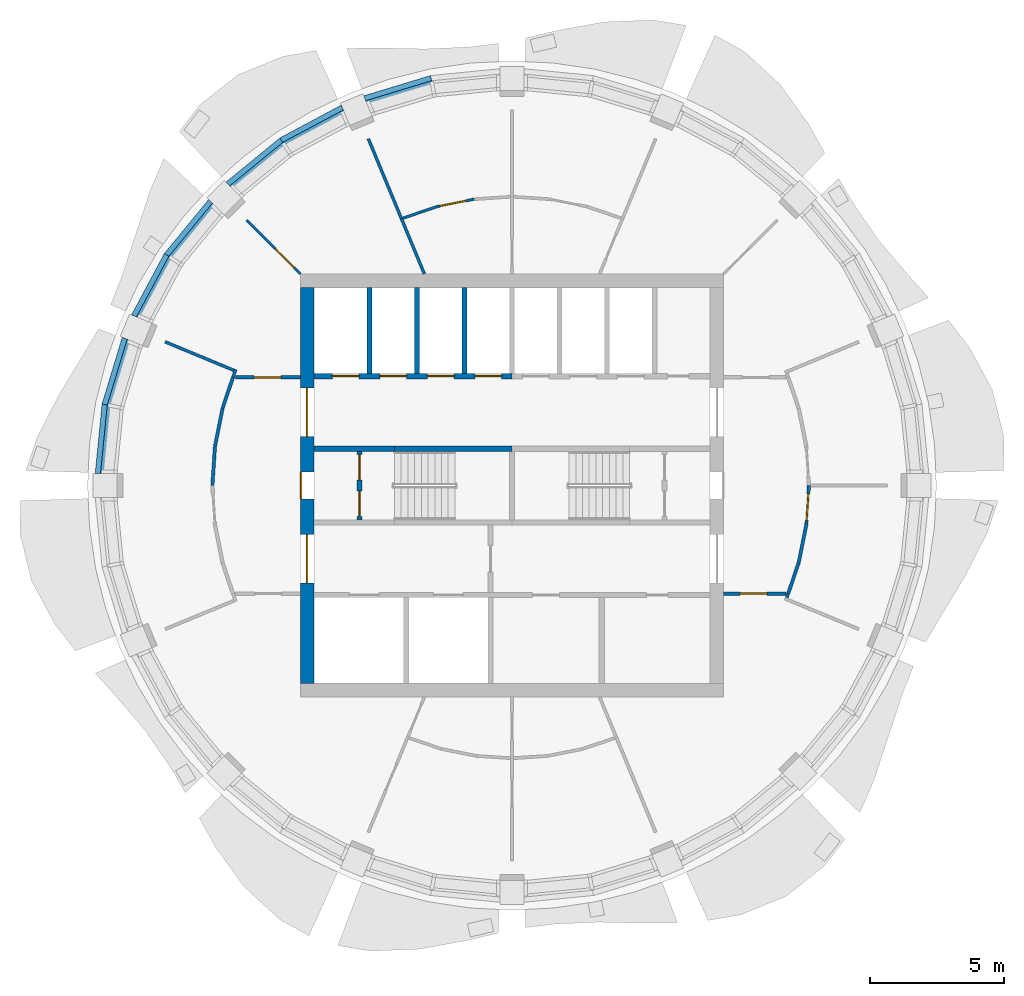
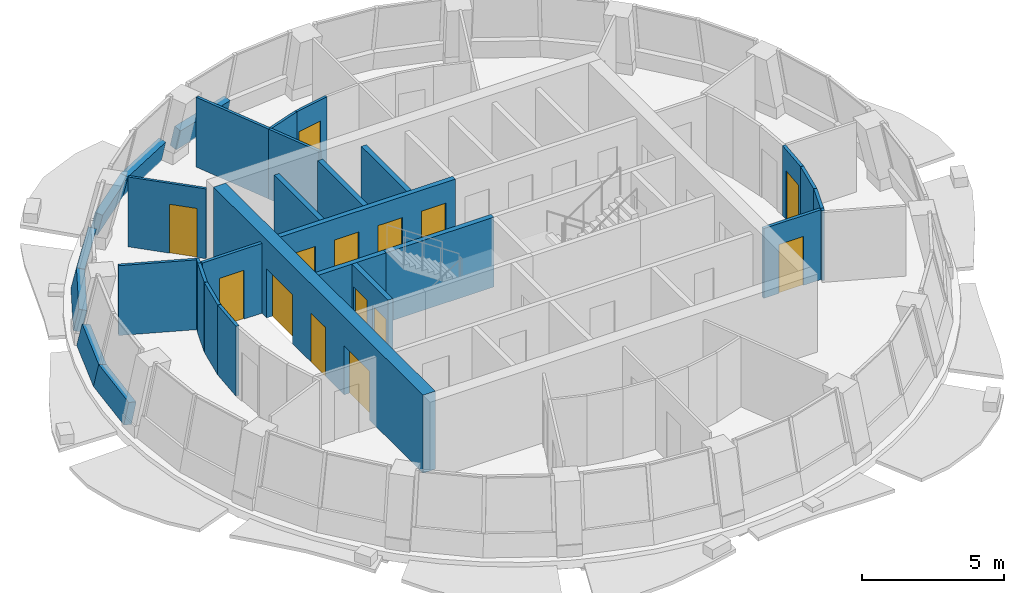
# One storey, part 5 of 11: 31 walls, 14 doors, 14 openings.
"""IFC4 building model written with IfcOpenShell, lengths in metres."""

from ifc_helpers import new_model, si_unit, direction, frame, frame_2d, origin, place, context, subcontext, project, spatial, polyline, rectangle, outline, extrude, material, layer, layer_set, type_object, element, fill, save


model = new_model("IFC4")

# Units and contexts
model_context = context("Model", 3, precision=1e-05, world=origin(), true_north=direction((0.0, 1.0)))
body_context = subcontext(model_context, "Body", "Model", "MODEL_VIEW")
ifc_project = project(units=[si_unit("LENGTHUNIT", "METRE"), si_unit("AREAUNIT", "SQUARE_METRE"), si_unit("VOLUMEUNIT", "CUBIC_METRE"), si_unit("PLANEANGLEUNIT", "RADIAN"), si_unit("MASSUNIT", "GRAM", prefix="KILO")], contexts=[model_context])

# Site, building, storey
site_placement = place(None, origin())
site = spatial("IfcSite", under=ifc_project, at=site_placement, CompositionType="ELEMENT")
building_placement = place(site_placement, origin())
building = spatial("IfcBuilding", under=site, at=building_placement, Name="Polderwave Tower", CompositionType="ELEMENT")
storey_placement = place(building_placement, frame((0.0, 0.0, 224.5)))
storey = spatial("IfcBuildingStorey", under=building, at=storey_placement, Name="L61", CompositionType="ELEMENT", Elevation=224.5)

# Wall, openings, doors
ifc_material_1 = material(Name="Concrete C60/75", Category="concrete")
ifc_layer_1 = layer(ifc_material_1, 0.5)
ifc_layer_set_1 = layer_set([ifc_layer_1], Name="CORE WALL 500 C60/75")
wall_type_1 = type_object("IfcWallType", Name="CORE WALL 500 C60/75", PredefinedType="SHEAR", material=ifc_layer_set_1)
wall_1_placement = place(storey_placement, frame((-7.6240234375, -7.3740234375, 0.0), z_axis=(0.0, 0.0, 1.0), x_axis=(0.0, 1.0, 0.0)))
wall_1 = element("IfcWall", 1, at=wall_1_placement, inside=storey, type_object=wall_type_1, Name="ST-CORE-L61-W", PredefinedType="SHEAR", context=body_context, shape_type="SweptSolid", body=[
    extrude(rectangle(XDim=14.748046875, YDim=0.5, at=frame_2d((7.3740234375, 0.0))), origin(), (0.0, 0.0, 1.0), 3.35009765625),
])
opening_1_placement = place(wall_1_placement, frame((6.8740234375, 0.0, 0.0)))
opening_1 = element("IfcOpeningElement", 2, at=opening_1_placement, cuts=wall_1, Name="Opening L61-D18", PredefinedType="OPENING", context=body_context, shape_type="SweptSolid", body=[
    extrude(rectangle(XDim=1.0, YDim=2.10009765625, at=frame_2d((0.5, 1.050048828125))), frame((0.0, 0.260009765625, 0.0), z_axis=(0.0, -1.0, 0.0), x_axis=(1.0, 0.0, 0.0)), (0.0, 0.0, 1.0), 0.52001953125),
])
opening_2_placement = place(wall_1_placement, frame((3.74951171875, 0.0, 0.0)))
opening_2 = element("IfcOpeningElement", 3, at=opening_2_placement, cuts=wall_1, Name="Opening L61-D19", PredefinedType="OPENING", context=body_context, shape_type="SweptSolid", body=[
    extrude(rectangle(XDim=1.800048828125, YDim=2.10009765625, at=frame_2d((0.89990234375, 1.050048828125))), frame((0.0, 0.260009765625, 0.0), z_axis=(0.0, -1.0, 0.0), x_axis=(1.0, 0.0, 0.0)), (0.0, 0.0, 1.0), 0.52001953125),
])
opening_3_placement = place(wall_1_placement, frame((9.198486328125, 0.0, 0.0)))
opening_3 = element("IfcOpeningElement", 4, at=opening_3_placement, cuts=wall_1, Name="Opening L61-D20", PredefinedType="OPENING", context=body_context, shape_type="SweptSolid", body=[
    extrude(rectangle(XDim=1.800048828125, YDim=2.10009765625, at=frame_2d((0.89990234375, 1.050048828125))), frame((0.0, 0.260009765625, 0.0), z_axis=(0.0, -1.0, 0.0), x_axis=(1.0, 0.0, 0.0)), (0.0, 0.0, 1.0), 0.52001953125),
])
ifc_material_2 = material(Name="Steel fire door", Category="steel")
door_type_1 = type_object("IfcDoorType", Name="Lobby entry door pair 1800", OperationType="DOUBLE_DOOR_SINGLE_SWING", PredefinedType="DOOR", material=ifc_material_2)
door_1_placement = place(opening_2_placement, origin())
door_1 = element("IfcDoor", 5, at=door_1_placement, inside=storey, type_object=door_type_1, Name="Fire-fighting lobby entry door", OperationType="DOUBLE_DOOR_SINGLE_SWING", OverallHeight=2.10009765625, OverallWidth=1.800048828125, PredefinedType="DOOR", context=body_context, shape_type="SweptSolid", body=[
    extrude(rectangle(XDim=1.800048828125, YDim=2.10009765625, at=frame_2d((0.89990234375, 1.050048828125))), frame((0.0, 0.02490234375, 0.0), z_axis=(0.0, -1.0, 0.0), x_axis=(1.0, 0.0, 0.0)), (0.0, 0.0, 1.0), 0.050048828125),
])
fill(opening_2, door_1)
door_2_placement = place(opening_3_placement, origin())
door_2 = element("IfcDoor", 6, at=door_2_placement, inside=storey, type_object=door_type_1, Name="North lobby entry door", OperationType="DOUBLE_DOOR_SINGLE_SWING", OverallHeight=2.10009765625, OverallWidth=1.800048828125, PredefinedType="DOOR", context=body_context, shape_type="SweptSolid", body=[
    extrude(rectangle(XDim=1.800048828125, YDim=2.10009765625, at=frame_2d((0.89990234375, 1.050048828125))), frame((0.0, 0.02490234375, 0.0), z_axis=(0.0, -1.0, 0.0), x_axis=(1.0, 0.0, 0.0)), (0.0, 0.0, 1.0), 0.050048828125),
])
fill(opening_3, door_2)
door_type_2 = type_object("IfcDoorType", Name="Stair door 1000", OperationType="NOTDEFINED", PredefinedType="DOOR", material=ifc_material_2)
door_3_placement = place(opening_1_placement, origin())
door_3 = element("IfcDoor", 7, at=door_3_placement, inside=storey, type_object=door_type_2, Name="Stair A entry door", OperationType="SINGLE_SWING_RIGHT", OverallHeight=2.10009765625, OverallWidth=1.0, PredefinedType="DOOR", context=body_context, shape_type="SweptSolid", body=[
    extrude(rectangle(XDim=1.0, YDim=2.10009765625, at=frame_2d((0.5, 1.050048828125))), frame((0.0, 0.25, 0.0), z_axis=(0.0, -1.0, 0.0), x_axis=(1.0, 0.0, 0.0)), (0.0, 0.0, 1.0), 0.050048828125),
])
fill(opening_1, door_3)

# Walls
ifc_material_3 = material(Name="Concrete C50/60 (board-marked)", Category="concrete")
ifc_layer_2 = layer(ifc_material_3, 0.300048828125)
ifc_layer_set_2 = layer_set([ifc_layer_2], Name="Concrete spandrel upstand C50/60")
wall_type_2 = type_object("IfcWallType", Name="Concrete spandrel upstand C50/60", PredefinedType="SOLIDWALL", material=ifc_layer_set_2)
wall_2_placement = place(storey_placement, frame((-3.034423828125, 15.257080078125, 0.0), z_axis=(-0.283799928831, 0.935039256379, 0.212506916186), x_axis=(-0.95689523991, -0.290433296708, -1.257384e-06)))
element("IfcWall", 8, at=wall_2_placement, inside=storey, type_object=wall_type_2, Name="Spandrel L61 5b", PredefinedType="SOLIDWALL", context=body_context, shape_type="SweptSolid", body=[
    extrude(outline(polyline([(0.0, 0.0), (2.595007097670562, 2.7755575615628914e-17), (2.5755727980861547, 0.9209402607057845), (0.019337186771753657, 0.9209336322190266), (0.0, 0.0)])), origin(), (0.0, 0.0, -1.0), 0.300048828125),
])
wall_3_placement = place(storey_placement, frame((-6.35400390625, 14.1572265625, 0.0), z_axis=(-0.460586384793, 0.861752726177, 0.212702658821), x_axis=(-0.881934366314, -0.471372223942, -3.114104e-06)))
element("IfcWall", 9, at=wall_3_placement, inside=storey, type_object=wall_type_2, Name="Spandrel L61 6a", PredefinedType="SOLIDWALL", context=body_context, shape_type="SweptSolid", body=[
    extrude(outline(polyline([(0.0, 0.0), (2.594928611274423, -2.7755575615628914e-17), (2.5753532648335606, 0.920985295043385), (0.01941529380473597, 0.9209688790606901), (0.0, 0.0)])), origin(), (0.0, 0.0, -1.0), 0.300048828125),
])
wall_4_placement = place(storey_placement, frame((-8.642578125, 12.93408203125, 0.0), z_axis=(-0.619832994913, 0.755344730477, 0.212747259813), x_axis=(-0.77304293478, -0.634353703321, -8.415613e-06)))
element("IfcWall", 10, at=wall_4_placement, inside=storey, type_object=wall_type_2, Name="Spandrel L61 6b", PredefinedType="SOLIDWALL", context=body_context, shape_type="SweptSolid", body=[
    extrude(outline(polyline([(0.0, 0.0), (2.5937283276421317, 0.0), (2.574575610802007, 0.9210084137902412), (0.01920476721061935, 0.9209640657165162), (0.0, 0.0)])), origin(), (0.0, 0.0, -1.0), 0.300048828125),
])
wall_5_placement = place(storey_placement, frame((-11.288818359375, 10.647705078125, 0.0), z_axis=(-0.755409788391, 0.61984836301, 0.212471312127), x_axis=(-0.634331506046, -0.77306114922, 2.160758e-06)))
element("IfcWall", 11, at=wall_5_placement, inside=storey, type_object=wall_type_2, Name="Spandrel L61 7a", PredefinedType="SOLIDWALL", context=body_context, shape_type="SweptSolid", body=[
    extrude(outline(polyline([(0.0, 0.0), (2.593728329537269, 5.551115123125783e-17), (2.5746784227651998, 0.9209239565177328), (0.019118847660090966, 0.9209353428660346), (0.0, 0.0)])), origin(), (0.0, 0.0, -1.0), 0.300048828125),
])
wall_6_placement = place(storey_placement, frame((-12.93408203125, 8.642578125, 0.0), z_axis=(-0.861774466564, 0.460573251826, 0.212643007131), x_axis=(-0.471353411649, -0.881944420769, -1.528775e-06)))
element("IfcWall", 12, at=wall_6_placement, inside=storey, type_object=wall_type_2, Name="Spandrel L61 7b", PredefinedType="SOLIDWALL", context=body_context, shape_type="SweptSolid", body=[
    extrude(outline(polyline([(0.0, 0.0), (2.59492861148547, 0.0), (2.575513317260219, 0.9209688796464724), (0.0193600292076719, 0.9209608204871957), (0.0, 0.0)])), origin(), (0.0, 0.0, -1.0), 0.300048828125),
])
wall_7_placement = place(storey_placement, frame((-14.50341796875, 5.517578125, 0.0), z_axis=(-0.935089635807, 0.283815219823, 0.212264679123), x_axis=(-0.290433297305, -0.956895239729, 1.256018e-06)))
element("IfcWall", 13, at=wall_7_placement, inside=storey, type_object=wall_type_2, Name="Spandrel L61 8a", PredefinedType="SOLIDWALL", context=body_context, shape_type="SweptSolid", body=[
    extrude(outline(polyline([(0.0, 0.0), (2.5950070976705564, 0.0), (2.575740816114674, 0.9208840189759286), (0.0195052048002585, 0.9208906399068612), (0.0, 0.0)])), origin(), (0.0, 0.0, -1.0), 0.300048828125),
])
wall_8_placement = place(storey_placement, frame((-15.257080078125, 3.034423828125, 0.0), z_axis=(-0.972456505396, 0.095619562057, 0.212568211321), x_axis=(-0.097857123826, -0.995200473918, -5.472073e-06)))
element("IfcWall", 14, at=wall_8_placement, inside=storey, type_object=wall_type_2, Name="Spandrel L61 8b", PredefinedType="SOLIDWALL", context=body_context, shape_type="SweptSolid", body=[
    extrude(outline(polyline([(0.0, 0.0), (2.5939993212860575, 0.0), (2.574738332060873, 0.920963930420198), (0.019267377080073818, 0.920935093099123), (0.0, 0.0)])), origin(), (0.0, 0.0, -1.0), 0.300048828125),
])

# Wall, openings, doors
ifc_material_4 = material(Name="Gypsum board partition")
ifc_layer_3 = layer(ifc_material_4, 0.199951171875)
ifc_layer_set_3 = layer_set([ifc_layer_3], Name="Core room partition 200")
wall_type_3 = type_object("IfcWallType", Name="Core room partition 200", PredefinedType="PARTITIONING", material=ifc_layer_set_3)
wall_9_placement = place(storey_placement, frame((-5.674072265625, -1.27490234375, 0.0), z_axis=(0.0, 0.0, 1.0), x_axis=(0.0, 1.0, 0.0)))
wall_9 = element("IfcWall", 15, at=wall_9_placement, inside=storey, type_object=wall_type_3, Name="L61 smoke lobby wall A", PredefinedType="PARTITIONING", context=body_context, shape_type="SweptSolid", body=[
    extrude(rectangle(XDim=2.5498046875, YDim=0.199951171875, at=frame_2d((1.27490234375, 0.0))), origin(), (0.0, 0.0, 1.0), 3.0),
])
opening_4_placement = place(wall_9_placement, frame((0.125, 0.0, 0.0)))
opening_4 = element("IfcOpeningElement", 16, at=opening_4_placement, cuts=wall_9, Name="Opening L61-D10", PredefinedType="OPENING", context=body_context, shape_type="SweptSolid", body=[
    extrude(rectangle(XDim=0.949951171875, YDim=2.10009765625, at=frame_2d((0.47509765625, 1.050048828125))), frame((0.0, 0.10986328125, 0.0), z_axis=(0.0, -1.0, 0.0), x_axis=(1.0, 0.0, 0.0)), (0.0, 0.0, 1.0), 0.219970703125),
])
opening_5_placement = place(wall_9_placement, frame((1.47509765625, 0.0, 0.0)))
opening_5 = element("IfcOpeningElement", 17, at=opening_5_placement, cuts=wall_9, Name="Opening L61-D11", PredefinedType="OPENING", context=body_context, shape_type="SweptSolid", body=[
    extrude(rectangle(XDim=0.949951171875, YDim=2.10009765625, at=frame_2d((0.47509765625, 1.050048828125))), frame((0.0, 0.10986328125, 0.0), z_axis=(0.0, -1.0, 0.0), x_axis=(1.0, 0.0, 0.0)), (0.0, 0.0, 1.0), 0.219970703125),
])
door_type_3 = type_object("IfcDoorType", Name="Smoke lobby door 950", OperationType="NOTDEFINED", PredefinedType="DOOR", material=ifc_material_2)
door_4_placement = place(opening_4_placement, origin())
door_4 = element("IfcDoor", 18, at=door_4_placement, inside=storey, type_object=door_type_3, Name="Stair A smoke lobby inner door", OperationType="SINGLE_SWING_LEFT", OverallHeight=2.10009765625, OverallWidth=0.949951171875, PredefinedType="DOOR", context=body_context, shape_type="SweptSolid", body=[
    extrude(rectangle(XDim=0.949951171875, YDim=2.10009765625, at=frame_2d((0.47509765625, 1.050048828125))), frame((0.0, 0.02490234375, 0.0), z_axis=(0.0, -1.0, 0.0), x_axis=(1.0, 0.0, 0.0)), (0.0, 0.0, 1.0), 0.050048828125),
])
fill(opening_4, door_4)
door_5_placement = place(opening_5_placement, origin())
door_5 = element("IfcDoor", 19, at=door_5_placement, inside=storey, type_object=door_type_3, Name="Stair A smoke lobby inner door", OperationType="SINGLE_SWING_RIGHT", OverallHeight=2.10009765625, OverallWidth=0.949951171875, PredefinedType="DOOR", context=body_context, shape_type="SweptSolid", body=[
    extrude(rectangle(XDim=0.949951171875, YDim=2.10009765625, at=frame_2d((0.47509765625, 1.050048828125))), frame((0.0, 0.02490234375, 0.0), z_axis=(0.0, -1.0, 0.0), x_axis=(1.0, 0.0, 0.0)), (0.0, 0.0, 1.0), 0.050048828125),
])
fill(opening_5, door_5)

ifc_material_5 = material(Name="Concrete C50/60", Category="concrete")
ifc_layer_4 = layer(ifc_material_5, 0.199951171875)
ifc_layer_set_4 = layer_set([ifc_layer_4], Name="Core web wall 200")
wall_type_4 = type_object("IfcWallType", Name="Core web wall 200", PredefinedType="SHEAR", material=ifc_layer_set_4)
wall_10_placement = place(storey_placement, frame((-7.3740234375, 4.073974609375, 0.0), z_axis=(0.0, 0.0, 1.0), x_axis=(1.0, 0.0, 0.0)))
wall_10 = element("IfcWall", 20, at=wall_10_placement, inside=storey, type_object=wall_type_4, Name="L61 north front wall 1", PredefinedType="SHEAR", context=body_context, shape_type="SweptSolid", body=[
    extrude(rectangle(XDim=7.3740234375, YDim=0.199951171875, at=frame_2d((3.68701171875, 0.0))), origin(), (0.0, 0.0, 1.0), 3.0),
])
opening_6_placement = place(wall_10_placement, frame((0.68408203125, 0.0, 0.0)))
opening_6 = element("IfcOpeningElement", 21, at=opening_6_placement, cuts=wall_10, Name="Opening L61-D03", PredefinedType="OPENING", context=body_context, shape_type="SweptSolid", body=[
    extrude(rectangle(XDim=1.0, YDim=2.10009765625, at=frame_2d((0.5, 1.050048828125))), frame((0.0, 0.10986328125, 0.0), z_axis=(0.0, -1.0, 0.0), x_axis=(1.0, 0.0, 0.0)), (0.0, 0.0, 1.0), 0.219970703125),
])
opening_7_placement = place(wall_10_placement, frame((2.45263671875, 0.0, 0.0)))
opening_7 = element("IfcOpeningElement", 22, at=opening_7_placement, cuts=wall_10, Name="Opening L61-D04", PredefinedType="OPENING", context=body_context, shape_type="SweptSolid", body=[
    extrude(rectangle(XDim=1.0, YDim=2.10009765625, at=frame_2d((0.5, 1.050048828125))), frame((0.0, 0.10986328125, 0.0), z_axis=(0.0, -1.0, 0.0), x_axis=(1.0, 0.0, 0.0)), (0.0, 0.0, 1.0), 0.219970703125),
])
opening_8_placement = place(wall_10_placement, frame((4.22119140625, 0.0, 0.0)))
opening_8 = element("IfcOpeningElement", 23, at=opening_8_placement, cuts=wall_10, Name="Opening L61-D05", PredefinedType="OPENING", context=body_context, shape_type="SweptSolid", body=[
    extrude(rectangle(XDim=1.0, YDim=2.10009765625, at=frame_2d((0.5, 1.050048828125))), frame((0.0, 0.10986328125, 0.0), z_axis=(0.0, -1.0, 0.0), x_axis=(1.0, 0.0, 0.0)), (0.0, 0.0, 1.0), 0.219970703125),
])
opening_9_placement = place(wall_10_placement, frame((5.98974609375, 0.0, 0.0)))
opening_9 = element("IfcOpeningElement", 24, at=opening_9_placement, cuts=wall_10, Name="Opening L61-D06", PredefinedType="OPENING", context=body_context, shape_type="SweptSolid", body=[
    extrude(rectangle(XDim=1.0, YDim=2.10009765625, at=frame_2d((0.5, 1.050048828125))), frame((0.0, 0.10986328125, 0.0), z_axis=(0.0, -1.0, 0.0), x_axis=(1.0, 0.0, 0.0)), (0.0, 0.0, 1.0), 0.219970703125),
])
ifc_material_6 = material(Name="Stainless steel", Category="steel")
door_type_4 = type_object("IfcDoorType", Name="Lift landing door 1000", OperationType="DOUBLE_DOOR_SLIDING", PredefinedType="DOOR", material=ifc_material_6)
door_6_placement = place(opening_6_placement, frame((1.0, 0.0, 0.0), z_axis=(0.0, 0.0, 1.0), x_axis=(-1.0, 0.0, 0.0)))
door_6 = element("IfcDoor", 25, at=door_6_placement, inside=storey, type_object=door_type_4, Name="Lift HL1 landing door", OperationType="DOUBLE_DOOR_SLIDING", OverallHeight=2.10009765625, OverallWidth=1.0, PredefinedType="DOOR", context=body_context, shape_type="SweptSolid", body=[
    extrude(rectangle(XDim=1.0, YDim=2.10009765625, at=frame_2d((0.5, 1.050048828125))), frame((0.0, 0.02490234375, 0.0), z_axis=(0.0, -1.0, 0.0), x_axis=(1.0, 0.0, 0.0)), (0.0, 0.0, 1.0), 0.050048828125),
])
fill(opening_6, door_6)
door_7_placement = place(opening_7_placement, frame((1.0, 0.0, 0.0), z_axis=(0.0, 0.0, 1.0), x_axis=(-1.0, 0.0, 0.0)))
door_7 = element("IfcDoor", 26, at=door_7_placement, inside=storey, type_object=door_type_4, Name="Lift HL2 landing door", OperationType="DOUBLE_DOOR_SLIDING", OverallHeight=2.10009765625, OverallWidth=1.0, PredefinedType="DOOR", context=body_context, shape_type="SweptSolid", body=[
    extrude(rectangle(XDim=1.0, YDim=2.10009765625, at=frame_2d((0.5, 1.050048828125))), frame((0.0, 0.02490234375, 0.0), z_axis=(0.0, -1.0, 0.0), x_axis=(1.0, 0.0, 0.0)), (0.0, 0.0, 1.0), 0.050048828125),
])
fill(opening_7, door_7)
door_8_placement = place(opening_8_placement, frame((1.0, 0.0, 0.0), z_axis=(0.0, 0.0, 1.0), x_axis=(-1.0, 0.0, 0.0)))
door_8 = element("IfcDoor", 27, at=door_8_placement, inside=storey, type_object=door_type_4, Name="Lift HL3 landing door", OperationType="DOUBLE_DOOR_SLIDING", OverallHeight=2.10009765625, OverallWidth=1.0, PredefinedType="DOOR", context=body_context, shape_type="SweptSolid", body=[
    extrude(rectangle(XDim=1.0, YDim=2.10009765625, at=frame_2d((0.5, 1.050048828125))), frame((0.0, 0.02490234375, 0.0), z_axis=(0.0, -1.0, 0.0), x_axis=(1.0, 0.0, 0.0)), (0.0, 0.0, 1.0), 0.050048828125),
])
fill(opening_8, door_8)
door_9_placement = place(opening_9_placement, frame((1.0, 0.0, 0.0), z_axis=(0.0, 0.0, 1.0), x_axis=(-1.0, 0.0, 0.0)))
door_9 = element("IfcDoor", 28, at=door_9_placement, inside=storey, type_object=door_type_4, Name="Lift HL4 landing door", OperationType="DOUBLE_DOOR_SLIDING", OverallHeight=2.10009765625, OverallWidth=1.0, PredefinedType="DOOR", context=body_context, shape_type="SweptSolid", body=[
    extrude(rectangle(XDim=1.0, YDim=2.10009765625, at=frame_2d((0.5, 1.050048828125))), frame((0.0, 0.02490234375, 0.0), z_axis=(0.0, -1.0, 0.0), x_axis=(1.0, 0.0, 0.0)), (0.0, 0.0, 1.0), 0.050048828125),
])
fill(opening_9, door_9)

# Walls
wall_11_placement = place(storey_placement, frame((-7.3740234375, 1.375, 0.0), z_axis=(0.0, 0.0, 1.0), x_axis=(1.0, 0.0, 0.0)))
element("IfcWall", 29, at=wall_11_placement, inside=storey, type_object=wall_type_4, Name="L61 north stair wall 1", PredefinedType="SHEAR", context=body_context, shape_type="SweptSolid", body=[
    extrude(rectangle(XDim=3.0, YDim=0.199951171875, at=frame_2d((1.5, 0.0))), origin(), (0.0, 0.0, 1.0), 3.0),
])
wall_12_placement = place(storey_placement, frame((-4.3740234375, 1.375, 0.0), z_axis=(0.0, 0.0, 1.0), x_axis=(1.0, 0.0, 0.0)))
element("IfcWall", 30, at=wall_12_placement, inside=storey, type_object=wall_type_4, Name="L61 north stair wall 2", PredefinedType="SHEAR", context=body_context, shape_type="SweptSolid", body=[
    extrude(rectangle(XDim=4.3740234375, YDim=0.199951171875, at=frame_2d((2.18701171875, 0.0))), origin(), (0.0, 0.0, 1.0), 3.0),
])

# Wall, opening, door
ifc_material_7 = material(Name="Fire-resisting board on steel studs", Category="steel")
ifc_layer_5 = layer(ifc_material_7, 0.125)
ifc_layer_set_5 = layer_set([ifc_layer_5], Name="Corridor wall 125 mm EI 60")
wall_type_5 = type_object("IfcWallType", Name="Corridor wall 125 mm EI 60", PredefinedType="PARTITIONING", material=ifc_layer_set_5)
wall_13_placement = place(storey_placement, frame((10.19091796875, -4.0244140625, 0.0), z_axis=(0.0, 0.0, 1.0), x_axis=(-1.0, 0.0, 0.0)))
wall_13 = element("IfcWall", 31, at=wall_13_placement, inside=storey, type_object=wall_type_5, Name="IN-L61-W005", PredefinedType="PARTITIONING", context=body_context, shape_type="SweptSolid", body=[
    extrude(rectangle(XDim=2.31689453125, YDim=0.125, at=frame_2d((1.158447265625, 0.0))), origin(), (0.0, 0.0, 1.0), 3.0),
])
opening_10_placement = place(wall_13_placement, frame((0.699951171875, 0.0, 0.0)))
opening_10 = element("IfcOpeningElement", 32, at=opening_10_placement, cuts=wall_13, Name="Opening L61-D52", PredefinedType="OPENING", context=body_context, shape_type="SweptSolid", body=[
    extrude(rectangle(XDim=1.0, YDim=2.10009765625, at=frame_2d((0.5, 1.050048828125))), frame((0.0, 0.072509765625, 0.0), z_axis=(0.0, -1.0, 0.0), x_axis=(1.0, 0.0, 0.0)), (0.0, 0.0, 1.0), 0.14501953125),
])
ifc_material_8 = material(Name="Timber fire door leaf", Category="wood")
door_type_5 = type_object("IfcDoorType", Name="Fire door FD30S 1000 x 2100", OperationType="NOTDEFINED", PredefinedType="DOOR", material=ifc_material_8)
door_10_placement = place(opening_10_placement, origin())
door_10 = element("IfcDoor", 33, at=door_10_placement, inside=storey, type_object=door_type_5, Name="Door L61-D52", OperationType="SINGLE_SWING_RIGHT", OverallHeight=2.10009765625, OverallWidth=1.0, PredefinedType="DOOR", context=body_context, shape_type="SweptSolid", body=[
    extrude(rectangle(XDim=1.0, YDim=2.10009765625, at=frame_2d((0.5, 1.050048828125))), frame((0.0, 0.02490234375, 0.0), z_axis=(0.0, -1.0, 0.0), x_axis=(1.0, 0.0, 0.0)), (0.0, 0.0, 1.0), 0.050048828125),
])
fill(opening_10, door_10)

# Walls
wall_14_placement = place(storey_placement, frame((10.672119140625, -2.864013671875, 0.0), z_axis=(0.0, 0.0, 1.0), x_axis=(-0.321363343769, -0.946955965862, 0.0)))
element("IfcWall", 34, at=wall_14_placement, inside=storey, type_object=wall_type_5, Name="IN-L61-W006", PredefinedType="PARTITIONING", context=body_context, shape_type="SweptSolid", body=[
    extrude(rectangle(XDim=1.225341796875, YDim=0.125, at=frame_2d((0.61279296875, 0.0))), origin(), (0.0, 0.0, 1.0), 3.0),
])
wall_15_placement = place(storey_placement, frame((10.95458984375, -1.4462890625, 0.0), z_axis=(0.0, 0.0, 1.0), x_axis=(-0.195005351681, -0.980802178228, 0.0)))
element("IfcWall", 35, at=wall_15_placement, inside=storey, type_object=wall_type_5, Name="IN-L61-W007", PredefinedType="PARTITIONING", context=body_context, shape_type="SweptSolid", body=[
    extrude(rectangle(XDim=1.437255859375, YDim=0.125, at=frame_2d((0.71875, 0.0))), origin(), (0.0, 0.0, 1.0), 3.0),
])

# Wall, opening, door
wall_16_placement = place(storey_placement, frame((11.050048828125, 0.0, 0.0), z_axis=(0.0, 0.0, 1.0), x_axis=(-0.065383473363, -0.997860211358, 0.0)))
wall_16 = element("IfcWall", 36, at=wall_16_placement, inside=storey, type_object=wall_type_5, Name="IN-L61-W008", PredefinedType="PARTITIONING", context=body_context, shape_type="SweptSolid", body=[
    extrude(rectangle(XDim=1.44140625, YDim=0.125, at=frame_2d((0.720703125, 0.0))), origin(), (0.0, 0.0, 1.0), 3.0),
])
opening_11_placement = place(wall_16_placement, frame((0.300048828125, 0.0, 0.0)))
opening_11 = element("IfcOpeningElement", 37, at=opening_11_placement, cuts=wall_16, Name="Opening L61-D53", PredefinedType="OPENING", context=body_context, shape_type="SweptSolid", body=[
    extrude(rectangle(XDim=1.0, YDim=2.10009765625, at=frame_2d((0.5, 1.050048828125))), frame((0.0, 0.072509765625, 0.0), z_axis=(0.0, -1.0, 0.0), x_axis=(1.0, 0.0, 0.0)), (0.0, 0.0, 1.0), 0.14501953125),
])
door_11_placement = place(opening_11_placement, origin())
door_11 = element("IfcDoor", 38, at=door_11_placement, inside=storey, type_object=door_type_5, Name="Door L61-D53", OperationType="SINGLE_SWING_RIGHT", OverallHeight=2.10009765625, OverallWidth=1.0, PredefinedType="DOOR", context=body_context, shape_type="SweptSolid", body=[
    extrude(rectangle(XDim=1.0, YDim=2.10009765625, at=frame_2d((0.5, 1.050048828125))), frame((0.0, 0.02490234375, 0.0), z_axis=(0.0, -1.0, 0.0), x_axis=(1.0, 0.0, 0.0)), (0.0, 0.0, 1.0), 0.050048828125),
])
fill(opening_11, door_11)

wall_17_placement = place(storey_placement, frame((-10.29638671875, 4.0244140625, 0.0), z_axis=(0.0, 0.0, 1.0), x_axis=(1.0, 0.0, 0.0)))
wall_17 = element("IfcWall", 39, at=wall_17_placement, inside=storey, type_object=wall_type_5, Name="IN-L61-W009", PredefinedType="PARTITIONING", context=body_context, shape_type="SweptSolid", body=[
    extrude(rectangle(XDim=2.42236328125, YDim=0.125, at=frame_2d((1.211181640625, 0.0))), origin(), (0.0, 0.0, 1.0), 3.0),
])
opening_12_placement = place(wall_17_placement, frame((0.699951171875, 0.0, 0.0)))
opening_12 = element("IfcOpeningElement", 40, at=opening_12_placement, cuts=wall_17, Name="Opening L61-D54", PredefinedType="OPENING", context=body_context, shape_type="SweptSolid", body=[
    extrude(rectangle(XDim=1.0, YDim=2.10009765625, at=frame_2d((0.5, 1.050048828125))), frame((0.0, 0.072509765625, 0.0), z_axis=(0.0, -1.0, 0.0), x_axis=(1.0, 0.0, 0.0)), (0.0, 0.0, 1.0), 0.14501953125),
])
door_12_placement = place(opening_12_placement, origin())
door_12 = element("IfcDoor", 41, at=door_12_placement, inside=storey, type_object=door_type_5, Name="Door L61-D54", OperationType="SINGLE_SWING_LEFT", OverallHeight=2.10009765625, OverallWidth=1.0, PredefinedType="DOOR", context=body_context, shape_type="SweptSolid", body=[
    extrude(rectangle(XDim=1.0, YDim=2.10009765625, at=frame_2d((0.5, 1.050048828125))), frame((0.0, 0.02490234375, 0.0), z_axis=(0.0, -1.0, 0.0), x_axis=(1.0, 0.0, 0.0)), (0.0, 0.0, 1.0), 0.050048828125),
])
fill(opening_12, door_12)

# Walls
wall_18_placement = place(storey_placement, frame((-11.149658203125, 0.004150390625, 0.0), z_axis=(0.0, 0.0, 1.0), x_axis=(0.065312343013, 0.997864869534, 0.0)))
element("IfcWall", 42, at=wall_18_placement, inside=storey, type_object=wall_type_5, Name="IN-L61-W010", PredefinedType="PARTITIONING", context=body_context, shape_type="SweptSolid", body=[
    extrude(rectangle(XDim=1.450439453125, YDim=0.125, at=frame_2d((0.72509765625, 0.0))), origin(), (0.0, 0.0, 1.0), 3.0),
])
wall_19_placement = place(storey_placement, frame((-11.0537109375, 1.45947265625, 0.0), z_axis=(0.0, 0.0, 1.0), x_axis=(0.194950489496, 0.980813084459, 0.0)))
element("IfcWall", 43, at=wall_19_placement, inside=storey, type_object=wall_type_5, Name="IN-L61-W012", PredefinedType="PARTITIONING", context=body_context, shape_type="SweptSolid", body=[
    extrude(rectangle(XDim=1.4501953125, YDim=0.125, at=frame_2d((0.72509765625, 0.0))), origin(), (0.0, 0.0, 1.0), 3.0),
])
wall_20_placement = place(storey_placement, frame((-10.768798828125, 2.8896484375, 0.0), z_axis=(0.0, 0.0, 1.0), x_axis=(0.321479033524, 0.946916696972, 0.0)))
element("IfcWall", 44, at=wall_20_placement, inside=storey, type_object=wall_type_5, Name="IN-L61-W014", PredefinedType="PARTITIONING", context=body_context, shape_type="SweptSolid", body=[
    extrude(rectangle(XDim=1.198486328125, YDim=0.125, at=frame_2d((0.59912109375, 0.0))), origin(), (0.0, 0.0, 1.0), 3.0),
])
ifc_material_9 = material(Name="Plasterboard on steel studs", Category="steel")
ifc_layer_6 = layer(ifc_material_9, 0.10009765625)
ifc_layer_set_6 = layer_set([ifc_layer_6], Name="Partition 100 mm plasterboard on steel studs")
wall_type_6 = type_object("IfcWallType", Name="Partition 100 mm plasterboard on steel studs", PredefinedType="PARTITIONING", material=ifc_layer_set_6)
wall_21_placement = place(storey_placement, frame((-4.05859375, 9.950439453125, 0.0), z_axis=(0.0, 0.0, 1.0), x_axis=(0.946944164887, 0.321398115407, 0.0)))
element("IfcWall", 45, at=wall_21_placement, inside=storey, type_object=wall_type_6, Name="IN-L61-W028", PredefinedType="PARTITIONING", context=body_context, shape_type="SweptSolid", body=[
    extrude(rectangle(XDim=1.344482421875, YDim=0.10009765625, at=frame_2d((0.67236328125, 0.0))), origin(), (0.0, 0.0, 1.0), 3.0),
])

# Wall, opening, door
wall_22_placement = place(storey_placement, frame((-2.779052734375, 10.38427734375, 0.0), z_axis=(0.0, 0.0, 1.0), x_axis=(0.980761417594, 0.19521025014, 0.0)))
wall_22 = element("IfcWall", 46, at=wall_22_placement, inside=storey, type_object=wall_type_6, Name="IN-L61-W029", PredefinedType="PARTITIONING", context=body_context, shape_type="SweptSolid", body=[
    extrude(rectangle(XDim=1.3994140625, YDim=0.10009765625, at=frame_2d((0.69970703125, 0.0))), origin(), (0.0, 0.0, 1.0), 3.0),
])
opening_13_placement = place(wall_22_placement, frame((0.10009765625, 0.0, 0.0)))
opening_13 = element("IfcOpeningElement", 47, at=opening_13_placement, cuts=wall_22, Name="Opening L61-D61", PredefinedType="OPENING", context=body_context, shape_type="SweptSolid", body=[
    extrude(rectangle(XDim=1.0, YDim=2.10009765625, at=frame_2d((0.5, 1.050048828125))), frame((0.0, 0.06005859375, 0.0), z_axis=(0.0, -1.0, 0.0), x_axis=(1.0, 0.0, 0.0)), (0.0, 0.0, 1.0), 0.1201171875),
])
ifc_material_10 = material(Name="Timber veneer door leaf", Category="wood")
door_type_6 = type_object("IfcDoorType", Name="Single door 1000 x 2100", OperationType="NOTDEFINED", PredefinedType="DOOR", material=ifc_material_10)
door_13_placement = place(opening_13_placement, origin())
door_13 = element("IfcDoor", 48, at=door_13_placement, inside=storey, type_object=door_type_6, Name="Door L61-D61", OperationType="SINGLE_SWING_LEFT", OverallHeight=2.10009765625, OverallWidth=1.0, PredefinedType="DOOR", context=body_context, shape_type="SweptSolid", body=[
    extrude(rectangle(XDim=1.0, YDim=2.10009765625, at=frame_2d((0.5, 1.050048828125))), frame((0.0, 0.02490234375, 0.0), z_axis=(0.0, -1.0, 0.0), x_axis=(1.0, 0.0, 0.0)), (0.0, 0.0, 1.0), 0.050048828125),
])
fill(opening_13, door_13)

wall_23_placement = place(storey_placement, frame((-9.87841796875, 9.87841796875, 0.0), z_axis=(0.0, 0.0, 1.0), x_axis=(0.707106781187, -0.707106781187, 0.0)))
wall_23 = element("IfcWall", 49, at=wall_23_placement, inside=storey, type_object=wall_type_6, Name="IN-L61-W033", PredefinedType="PARTITIONING", context=body_context, shape_type="SweptSolid", body=[
    extrude(rectangle(XDim=2.834716796875, YDim=0.10009765625, at=frame_2d((1.41748046875, 0.0))), origin(), (0.0, 0.0, 1.0), 3.0),
])
opening_14_placement = place(wall_23_placement, frame((1.5, 0.0, 0.0)))
opening_14 = element("IfcOpeningElement", 50, at=opening_14_placement, cuts=wall_23, Name="Opening L61-D62", PredefinedType="OPENING", context=body_context, shape_type="SweptSolid", body=[
    extrude(rectangle(XDim=1.0, YDim=2.10009765625, at=frame_2d((0.5, 1.050048828125))), frame((0.0, 0.06005859375, 0.0), z_axis=(0.0, -1.0, 0.0), x_axis=(1.0, 0.0, 0.0)), (0.0, 0.0, 1.0), 0.1201171875),
])
door_14_placement = place(opening_14_placement, origin())
door_14 = element("IfcDoor", 51, at=door_14_placement, inside=storey, type_object=door_type_6, Name="Door L61-D62", OperationType="SINGLE_SWING_RIGHT", OverallHeight=2.10009765625, OverallWidth=1.0, PredefinedType="DOOR", context=body_context, shape_type="SweptSolid", body=[
    extrude(rectangle(XDim=1.0, YDim=2.10009765625, at=frame_2d((0.5, 1.050048828125))), frame((0.0, 0.02490234375, 0.0), z_axis=(0.0, -1.0, 0.0), x_axis=(1.0, 0.0, 0.0)), (0.0, 0.0, 1.0), 0.050048828125),
])
fill(opening_14, door_14)

# Walls
ifc_material_11 = material(Name="Acoustic double plasterboard on steel studs", Category="steel")
ifc_layer_7 = layer(ifc_material_11, 0.110107421875)
ifc_layer_set_7 = layer_set([ifc_layer_7], Name="Partition 110 mm acoustic double board")
wall_type_7 = type_object("IfcWallType", Name="Partition 110 mm acoustic double board", PredefinedType="PARTITIONING", material=ifc_layer_set_7)
wall_24_placement = place(storey_placement, frame((-3.261474609375, 7.8740234375, 0.0), z_axis=(0.0, 0.0, 1.0), x_axis=(-0.382684189911, 0.923879218725, 0.0)))
element("IfcWall", 52, at=wall_24_placement, inside=storey, type_object=wall_type_7, Name="IN-L61-W031", PredefinedType="PARTITIONING", context=body_context, shape_type="SweptSolid", body=[
    extrude(rectangle(XDim=2.22705078125, YDim=0.110107421875, at=frame_2d((1.113525390625, 0.0))), origin(), (0.0, 0.0, 1.0), 3.0),
])
wall_25_placement = place(storey_placement, frame((-4.11376953125, 9.931640625, 0.0), z_axis=(0.0, 0.0, 1.0), x_axis=(-0.382735705454, 0.923857878556, 0.0)))
element("IfcWall", 53, at=wall_25_placement, inside=storey, type_object=wall_type_7, Name="IN-L61-W032", PredefinedType="PARTITIONING", context=body_context, shape_type="SweptSolid", body=[
    extrude(rectangle(XDim=3.219970703125, YDim=0.110107421875, at=frame_2d((1.60986328125, 0.0))), origin(), (0.0, 0.0, 1.0), 3.0),
])
wall_26_placement = place(storey_placement, frame((-10.383544921875, 4.0244140625, 0.0), z_axis=(0.0, 0.0, 1.0), x_axis=(0.320931919594, 0.947102266382, 0.0)))
element("IfcWall", 54, at=wall_26_placement, inside=storey, type_object=wall_type_7, Name="IN-L61-W034", PredefinedType="PARTITIONING", context=body_context, shape_type="SweptSolid", body=[
    extrude(rectangle(XDim=0.31103515625, YDim=0.110107421875, at=frame_2d((0.155517578125, 0.0))), origin(), (0.0, 0.0, 1.0), 3.0),
])
wall_27_placement = place(storey_placement, frame((-10.355712890625, 4.289306640625, 0.0), z_axis=(0.0, 0.0, 1.0), x_axis=(-0.923838989754, 0.382781296578, 0.0)))
element("IfcWall", 55, at=wall_27_placement, inside=storey, type_object=wall_type_7, Name="IN-L61-W035", PredefinedType="PARTITIONING", context=body_context, shape_type="SweptSolid", body=[
    extrude(rectangle(XDim=2.760986328125, YDim=0.110107421875, at=frame_2d((1.38037109375, 0.0))), origin(), (0.0, 0.0, 1.0), 3.0),
])
wall_28_placement = place(storey_placement, frame((10.2783203125, -4.0244140625, 0.0), z_axis=(0.0, 0.0, 1.0), x_axis=(-0.321819116975, -0.94680117023, 0.0)))
element("IfcWall", 56, at=wall_28_placement, inside=storey, type_object=wall_type_7, Name="IN-L61-W051", PredefinedType="PARTITIONING", context=body_context, shape_type="SweptSolid", body=[
    extrude(rectangle(XDim=0.156982421875, YDim=0.110107421875, at=frame_2d((0.07861328125, 0.0))), origin(), (0.0, 0.0, 1.0), 3.0),
])
ifc_material_12 = material(Name="Gypsum shaft wall system")
ifc_layer_8 = layer(ifc_material_12, 0.199951171875)
ifc_layer_set_8 = layer_set([ifc_layer_8], Name="Shaft wall 200")
wall_type_8 = type_object("IfcWallType", Name="Shaft wall 200", PredefinedType="PARTITIONING", material=ifc_layer_set_8)
for number, where, z_axis, x_axis, name in (
    (57, (-5.305419921875, 4.174072265625, 0.0), (0.0, 0.0, 1.0), (0.0, 1.0, 0.0), "L61 lift shaft wall N1"),
    (58, (-3.537109375, 4.174072265625, 0.0), (0.0, 0.0, 1.0), (0.0, 1.0, 0.0), "L61 lift shaft wall N2"),
    (59, (-1.7685546875, 4.174072265625, 0.0), (0.0, 0.0, 1.0), (0.0, 1.0, 0.0), "L61 lift shaft wall N3"),
):
    element("IfcWall", number, at=place(storey_placement, frame(where, z_axis=z_axis, x_axis=x_axis)), inside=storey, type_object=wall_type_8, Name=name, PredefinedType="PARTITIONING", context=body_context, shape_type="SweptSolid", body=[
        extrude(rectangle(XDim=3.199951171875, YDim=0.199951171875, at=frame_2d((1.60009765625, 0.0))), origin(), (0.0, 0.0, 1.0), 3.0),
    ])

save(model, "model.ifc")
